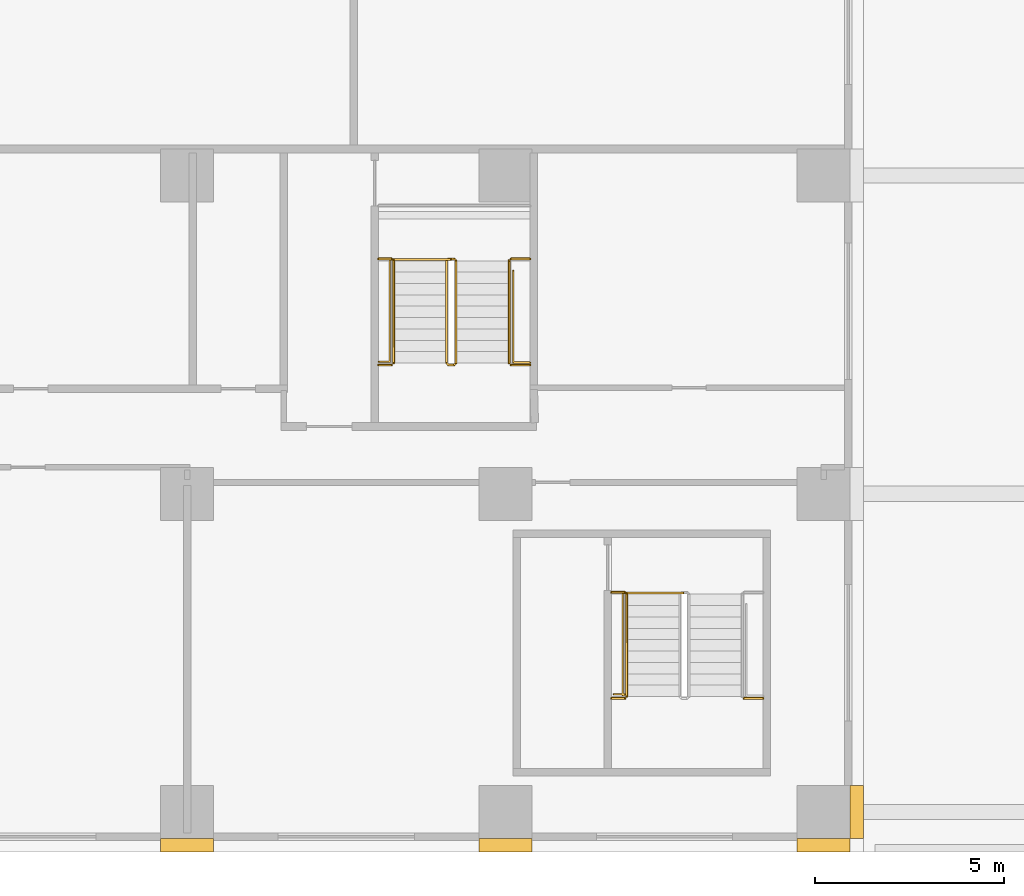
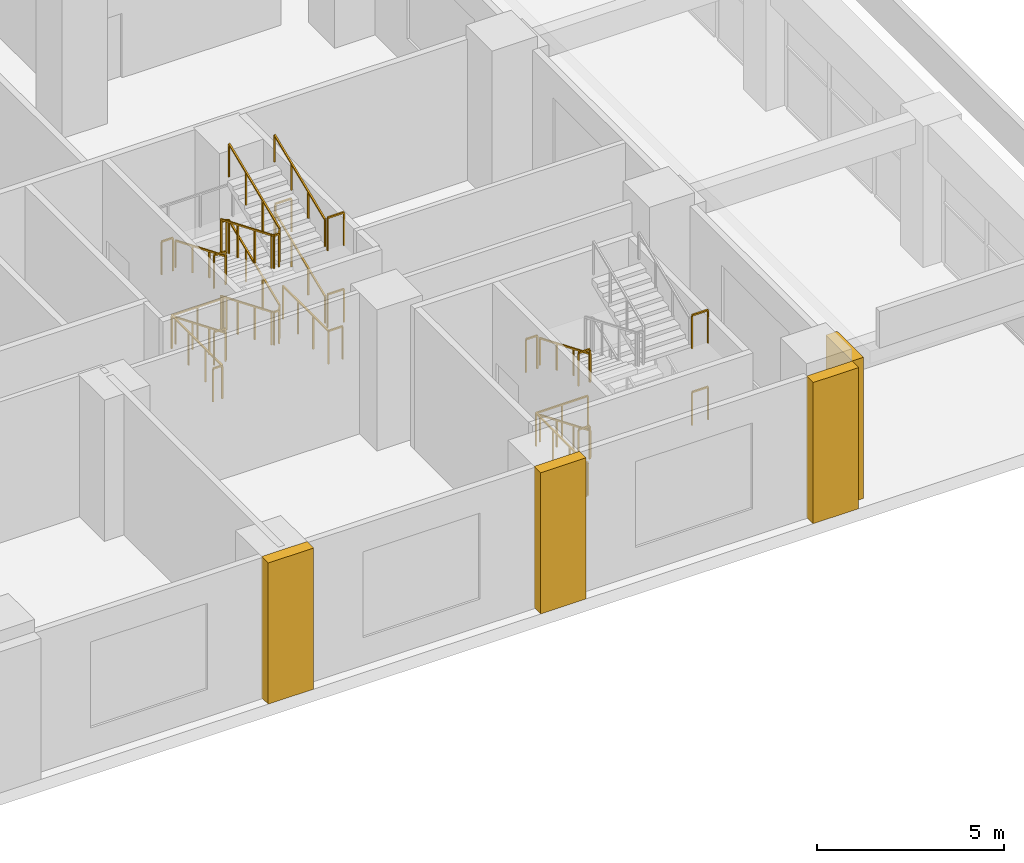
# One storey, part 26 of 29: 21 railings, 4 coverings.
"""IFC4 building model written with IfcOpenShell, lengths in metres."""

import ifcopenshell
import ifcopenshell.guid

model = None  # the IFC model being written
_history = None  # IfcOwnerHistory: only IFC2X3 demands one
_inside = {}  # id of a spatial element -> (the spatial element, [elements in it])
_under = {}  # id of a project, library or spatial element -> (it, [spatial elements below it])
_declared = {}  # id of a project -> (the project, [libraries it declares])
_typed = {}  # id of a type object -> (the type object, [elements of that type])
_made_of = {}  # id of a material, layer set ... -> (it, [elements and type objects made of it])


def new_model(schema):
    """Start an empty IFC model of exactly this schema.

    Asked for "IFC4X3", IfcOpenShell would pick the latest addendum, in which some entities
    have other attributes; the version numbers below select the first issue.
    IFC2X3 requires an IfcOwnerHistory on every rooted entity: one is made here for all.
    """
    global model, _history
    if schema == "IFC4X3":
        model = ifcopenshell.file(schema_version=(4, 3, 0, 0))
    else:
        model = ifcopenshell.file(schema=schema)
    _inside.clear()
    _under.clear()
    _declared.clear()
    _typed.clear()
    _made_of.clear()
    _history = None
    if model.schema == "IFC2X3":
        org = make("IfcOrganization", Name="unknown")
        user = make(
            "IfcPersonAndOrganization",
            ThePerson=make("IfcPerson", FamilyName="unknown"),
            TheOrganization=org,
        )
        app = make(
            "IfcApplication",
            ApplicationDeveloper=org,
            Version="unknown",
            ApplicationFullName="unknown",
            ApplicationIdentifier="unknown",
        )
        _history = make(
            "IfcOwnerHistory",
            OwningUser=user,
            OwningApplication=app,
            ChangeAction="ADDED",
            CreationDate=0,
        )
    return model


def make(cls, **values):
    """One entity of the class cls with the attributes given. An attribute that is None is left unset."""
    return model.create_entity(
        cls, **{name: value for name, value in values.items() if value is not None}
    )


def rooted(cls, **values):
    """An entity with a GlobalId (a new one), such as an element, a storey or a relation."""
    return make(cls, GlobalId=ifcopenshell.guid.new(), OwnerHistory=_history, **values)


def si_unit(unit_type, name, prefix=None):
    """IfcSIUnit, for example si_unit("LENGTHUNIT", "METRE", prefix="MILLI")."""
    return make("IfcSIUnit", UnitType=unit_type, Prefix=prefix, Name=name)


def assignment(units):
    """IfcUnitAssignment: the units of a project."""
    return None if units is None else make("IfcUnitAssignment", Units=units)


def point(xyz):
    """IfcCartesianPoint."""
    return None if xyz is None else make("IfcCartesianPoint", Coordinates=xyz)


def direction(xyz):
    """IfcDirection."""
    return None if xyz is None else make("IfcDirection", DirectionRatios=xyz)


def frame(location, z_axis=None, x_axis=None):
    """IfcAxis2Placement3D, a coordinate frame: its origin and axes. An axis left out is left unset."""
    return make(
        "IfcAxis2Placement3D",
        Location=point(location),
        Axis=direction(z_axis),
        RefDirection=direction(x_axis),
    )


def frame_2d(location, x_axis=None):
    """IfcAxis2Placement2D, a coordinate frame in the plane: its origin and x axis."""
    return make(
        "IfcAxis2Placement2D", Location=point(location), RefDirection=direction(x_axis)
    )


def origin():
    """The frame at (0, 0, 0) with its axes left unset."""
    return frame((0.0, 0.0, 0.0))


def origin_2d():
    """The frame at (0, 0) in the plane with its x axis left unset."""
    return frame_2d((0.0, 0.0))


def place(relative_to, where):
    """IfcLocalPlacement: puts the frame where relative to a parent placement (None: the world)."""
    return make(
        "IfcLocalPlacement", PlacementRelTo=relative_to, RelativePlacement=where
    )


def context(
    kind, dimensions, precision=None, world=None, true_north=None, identifier=None
):
    """IfcGeometricRepresentationContext, for example the 3D "Model" context."""
    return make(
        "IfcGeometricRepresentationContext",
        ContextIdentifier=identifier,
        ContextType=kind,
        CoordinateSpaceDimension=dimensions,
        Precision=precision,
        WorldCoordinateSystem=world,
        TrueNorth=true_north,
    )


def subcontext(parent, identifier, kind, view, scale=None):
    """IfcGeometricRepresentationSubContext, for example "Body" below "Model"."""
    return make(
        "IfcGeometricRepresentationSubContext",
        ContextIdentifier=identifier,
        ContextType=kind,
        ParentContext=parent,
        TargetScale=scale,
        TargetView=view,
    )


def project(units=None, contexts=None):
    """IfcProject with its units and contexts."""
    return rooted(
        "IfcProject",
        Name="project",
        RepresentationContexts=contexts,
        UnitsInContext=assignment(units),
    )


def spatial(cls, under=None, at=None, **own):
    """A site, building, storey or space (cls), placed at a placement, below another one or the project."""
    s = rooted(cls, ObjectPlacement=at, **own)
    if under is not None:
        _under.setdefault(under.id(), (under, []))[1].append(s)
    return s


def polyline(points):
    """IfcPolyline through the points."""
    return make("IfcPolyline", Points=[point(p) for p in points])


def profile(cls, at=None, kind="AREA", **sizes):
    """A parametric profile (cls). Its sizes go by their IFC names, for example OverallWidth=200.0."""
    return make(cls, ProfileType=kind, Position=at, **sizes)


def rectangle(**sizes):
    """IfcRectangleProfileDef."""
    return profile("IfcRectangleProfileDef", **sizes)


def outline(outer, holes=None, kind="AREA"):
    """IfcArbitraryClosedProfileDef: a profile drawn as a closed curve; with holes, ...WithVoids."""
    if holes is None:
        return make("IfcArbitraryClosedProfileDef", ProfileType=kind, OuterCurve=outer)
    return make(
        "IfcArbitraryProfileDefWithVoids",
        ProfileType=kind,
        OuterCurve=outer,
        InnerCurves=holes,
    )


def extrude(swept, where, along, depth):
    """IfcExtrudedAreaSolid: the profile swept, set in the frame where, extruded along a direction by depth."""
    return make(
        "IfcExtrudedAreaSolid",
        SweptArea=swept,
        Position=where,
        ExtrudedDirection=direction(along),
        Depth=depth,
    )


def shape(context_of_items, identifier, shape_type, items):
    """IfcShapeRepresentation: the items that make up one representation, for example the "Body"."""
    return make(
        "IfcShapeRepresentation",
        ContextOfItems=context_of_items,
        RepresentationIdentifier=identifier,
        RepresentationType=shape_type,
        Items=items,
    )


def material(Name=None, Category=None):
    """IfcMaterial."""
    return make("IfcMaterial", Name=Name, Category=Category)


def made_of(thing, what):
    """Note that an element or type object is made of a material, layer set ...; save() writes the relation."""
    if what is not None:
        _made_of.setdefault(what.id(), (what, []))[1].append(thing)
    return thing


def type_object(cls, material=None, **own):
    """A type object (cls), such as IfcWallType, which elements share."""
    return made_of(rooted(cls, **own), material)


def element(
    cls,
    number,
    at=None,
    inside=None,
    cuts=None,
    type_object=None,
    material=None,
    context=None,
    identifier="Body",
    shape_type=None,
    held_by="IfcProductDefinitionShape",
    body=None,
    shapes=None,
    **own,
):
    """One element of the class cls, such as IfcWall. Its Tag is "e" and its number.

    at: its placement. inside: the storey or other place that contains it. cuts: it is an
    opening in that element (IfcRelVoidsElement). A single representation is given by context,
    identifier, shape_type and body (its items); several are given by shapes. held_by: the class
    of the entity that holds the representations. save() writes the other relations.
    """
    e = rooted(cls, Tag="e%d" % number, ObjectPlacement=at, **own)
    if body is not None:
        shapes = [shape(context, identifier, shape_type, body)]
    if shapes is not None:
        e.Representation = make(held_by, Representations=shapes)
    if inside is not None:
        _inside.setdefault(inside.id(), (inside, []))[1].append(e)
    if cuts is not None:
        rooted(
            "IfcRelVoidsElement", RelatingBuildingElement=cuts, RelatedOpeningElement=e
        )
    if type_object is not None:
        _typed.setdefault(type_object.id(), (type_object, []))[1].append(e)
    return made_of(e, material)


def aggregate(whole, parts):
    """IfcRelAggregates: a whole, such as a stair, and the parts it consists of."""
    return rooted("IfcRelAggregates", RelatingObject=whole, RelatedObjects=parts)


def save(model, path):
    """Write the relations noted so far, then the file.

    IfcRelAggregates (storeys below a building ...), IfcRelContainedInSpatialStructure (elements
    in a storey), IfcRelDefinesByType, IfcRelAssociatesMaterial and IfcRelDeclares: one each for
    every whole, place, type object, material and project.
    """
    for whole, parts in _under.values():
        aggregate(whole, parts)
    for where, things in _inside.values():
        rooted(
            "IfcRelContainedInSpatialStructure",
            RelatedElements=things,
            RelatingStructure=where,
        )
    for kind, things in _typed.values():
        rooted("IfcRelDefinesByType", RelatedObjects=things, RelatingType=kind)
    for what, things in _made_of.values():
        rooted("IfcRelAssociatesMaterial", RelatedObjects=things, RelatingMaterial=what)
    for by, libraries in _declared.values():
        rooted("IfcRelDeclares", RelatingContext=by, RelatedDefinitions=libraries)
    model.write(path)


model = new_model("IFC4")

# Units and contexts
model_context = context("Model", 3, precision=1e-05, world=origin(), true_north=direction((0.0, 1.0)))
body_context = subcontext(model_context, "Body", "Model", "MODEL_VIEW")
ifc_project = project(units=[si_unit("LENGTHUNIT", "METRE"), si_unit("AREAUNIT", "SQUARE_METRE"), si_unit("VOLUMEUNIT", "CUBIC_METRE"), si_unit("PLANEANGLEUNIT", "RADIAN"), si_unit("MASSUNIT", "GRAM", prefix="KILO")], contexts=[model_context])

# Site, building, storey
site_placement = place(None, origin())
site = spatial("IfcSite", under=ifc_project, at=site_placement, CompositionType="ELEMENT")
building_placement = place(site_placement, origin())
building = spatial("IfcBuilding", under=site, at=building_placement, Name="Vermilion Ogive Tower", CompositionType="ELEMENT")
storey_placement = place(building_placement, frame((0.0, 0.0, 7.5)))
storey = spatial("IfcBuildingStorey", under=building, at=storey_placement, Name="L01", CompositionType="ELEMENT", Elevation=7.5)

# Railings
ifc_material_1 = material(Name="Steel S355 painted", Category="steel")
railing_type_1 = type_object("IfcRailingType", Name="Stair guard 1100", PredefinedType="GUARDRAIL", material=ifc_material_1)
railing_1_placement = place(storey_placement, frame((40.64990234375, -14.800048828125, 0.0)))
element("IfcRailing", 1, at=railing_1_placement, inside=storey, type_object=railing_type_1, Name="L01 PS6 stair guard 8", PredefinedType="GUARDRAIL", context=body_context, shape_type="SweptSolid", body=[
    extrude(rectangle(XDim=0.048095703125, YDim=0.048095703125, at=origin_2d()), frame((0.0, 0.0, 1.076171875), z_axis=(-1.0, 0.0, 0.0), x_axis=(0.0, -1.0, 0.0)), (0.0, 0.0, 1.0), 0.14990234375),
    extrude(rectangle(XDim=0.048095703125, YDim=0.048095703125, at=origin_2d()), frame((-0.14990234375, 0.0, 1.076171875), z_axis=(-0.34841279274, -0.34841279274, 0.870182194549), x_axis=(0.707106781187, -0.707106781187, 0.0)), (0.0, 0.0, 1.0), 0.1435546875),
    extrude(rectangle(XDim=0.048095703125, YDim=0.048095703125, at=origin_2d()), frame((-0.199951171875, -0.050048828125, 1.201171875), z_axis=(0.0, -0.923074453586, 0.384621311341), x_axis=(1.0, 0.0, 0.0)), (0.0, 0.0, 1.0), 2.925048828125),
    extrude(rectangle(XDim=0.048095703125, YDim=0.048095703125, at=origin_2d()), frame((-0.199951171875, -2.75, 2.326171875), z_axis=(0.707106781187, -0.707106781187, 0.0), x_axis=(0.707106781187, 0.707106781187, 0.0)), (0.0, 0.0, 1.0), 0.07080078125),
    extrude(rectangle(XDim=0.048095703125, YDim=0.048095703125, at=origin_2d()), frame((-0.14990234375, -2.800048828125, 2.326171875), z_axis=(1.0, 0.0, 0.0), x_axis=(0.0, 1.0, 0.0)), (0.0, 0.0, 1.0), 0.14990234375),
    extrude(rectangle(XDim=0.048095703125, YDim=0.048095703125, at=origin_2d()), frame((0.0, -2.800048828125, 2.326171875), z_axis=(0.34841279274, 0.34841279274, 0.870182194549), x_axis=(-0.707106781187, 0.707106781187, 0.0)), (0.0, 0.0, 1.0), 0.1435546875),
    extrude(rectangle(XDim=0.048095703125, YDim=0.048095703125, at=origin_2d()), frame((0.050048828125, -2.75, 2.451171875), z_axis=(0.0, 0.923074453586, 0.384621311341), x_axis=(-1.0, 0.0, 0.0)), (0.0, 0.0, 1.0), 2.925048828125),
    extrude(rectangle(XDim=0.048095703125, YDim=0.048095703125, at=origin_2d()), frame((0.050048828125, -0.050048828125, 3.576171875), z_axis=(-0.707106781187, 0.707106781187, 0.0), x_axis=(-0.707106781187, -0.707106781187, 0.0)), (0.0, 0.0, 1.0), 0.07080078125),
    extrude(rectangle(XDim=0.048095703125, YDim=0.048095703125, at=origin_2d()), frame((0.0, 0.0, 3.576171875), z_axis=(-1.0, 0.0, 0.0), x_axis=(0.0, -1.0, 0.0)), (0.0, 0.0, 1.0), 0.14990234375),
    extrude(rectangle(XDim=0.048095703125, YDim=0.048095703125, at=origin_2d()), frame((-0.14990234375, 0.0, 3.576171875), z_axis=(-0.34841279274, -0.34841279274, 0.870182194549), x_axis=(0.707106781187, -0.707106781187, 0.0)), (0.0, 0.0, 1.0), 0.1435546875),
    extrude(rectangle(XDim=0.048095703125, YDim=0.048095703125, at=origin_2d()), frame((-0.199951171875, -0.050048828125, 3.701171875), z_axis=(0.0, -0.923074453586, 0.384621311341), x_axis=(1.0, 0.0, 0.0)), (0.0, 0.0, 1.0), 2.925048828125),
    extrude(rectangle(XDim=0.048095703125, YDim=0.048095703125, at=origin_2d()), frame((-0.199951171875, -2.75, 4.826171875), z_axis=(0.707106781187, -0.707106781187, 0.0), x_axis=(0.707106781187, 0.707106781187, 0.0)), (0.0, 0.0, 1.0), 0.07080078125),
    extrude(rectangle(XDim=0.048095703125, YDim=0.048095703125, at=origin_2d()), frame((-0.14990234375, -2.800048828125, 4.826171875), z_axis=(1.0, 0.0, 0.0), x_axis=(0.0, 1.0, 0.0)), (0.0, 0.0, 1.0), 0.14990234375),
    extrude(rectangle(XDim=0.048095703125, YDim=0.048095703125, at=origin_2d()), frame((0.0, -2.800048828125, 4.826171875), z_axis=(0.34841279274, 0.34841279274, 0.870182194549), x_axis=(-0.707106781187, 0.707106781187, 0.0)), (0.0, 0.0, 1.0), 0.1435546875),
    extrude(rectangle(XDim=0.048095703125, YDim=0.048095703125, at=origin_2d()), frame((0.050048828125, -2.75, 4.951171875), z_axis=(0.0, 0.923074453586, 0.384621311341), x_axis=(-1.0, 0.0, 0.0)), (0.0, 0.0, 1.0), 2.925048828125),
    extrude(rectangle(XDim=0.0419921875, YDim=0.0419921875, at=origin_2d()), origin(), (0.0, 0.0, 1.0), 1.052001953125),
    extrude(rectangle(XDim=0.0419921875, YDim=0.0419921875, at=origin_2d()), frame((-0.14990234375, 0.0, 0.0)), (0.0, 0.0, 1.0), 1.052001953125),
    extrude(rectangle(XDim=0.0419921875, YDim=0.0419921875, at=origin_2d()), frame((-0.199951171875, -0.050048828125, 0.125)), (0.0, 0.0, 1.0), 1.052001953125),
    extrude(rectangle(XDim=0.0419921875, YDim=0.0419921875, at=origin_2d()), frame((-0.199951171875, -0.949951171875, 0.5)), (0.0, 0.0, 1.0), 1.052001953125),
    extrude(rectangle(XDim=0.0419921875, YDim=0.0419921875, at=origin_2d()), frame((-0.199951171875, -1.85009765625, 0.875)), (0.0, 0.0, 1.0), 1.052001953125),
    extrude(rectangle(XDim=0.0419921875, YDim=0.0419921875, at=origin_2d()), frame((-0.199951171875, -2.75, 1.25)), (0.0, 0.0, 1.0), 1.052001953125),
    extrude(rectangle(XDim=0.0419921875, YDim=0.0419921875, at=origin_2d()), frame((-0.14990234375, -2.800048828125, 1.25)), (0.0, 0.0, 1.0), 1.052001953125),
    extrude(rectangle(XDim=0.0419921875, YDim=0.0419921875, at=origin_2d()), frame((0.0, -2.800048828125, 1.25)), (0.0, 0.0, 1.0), 1.052001953125),
    extrude(rectangle(XDim=0.0419921875, YDim=0.0419921875, at=origin_2d()), frame((0.050048828125, -2.75, 1.375)), (0.0, 0.0, 1.0), 1.052001953125),
    extrude(rectangle(XDim=0.0419921875, YDim=0.0419921875, at=origin_2d()), frame((0.050048828125, -1.85009765625, 1.75)), (0.0, 0.0, 1.0), 1.052001953125),
    extrude(rectangle(XDim=0.0419921875, YDim=0.0419921875, at=origin_2d()), frame((0.050048828125, -0.949951171875, 2.125)), (0.0, 0.0, 1.0), 1.052001953125),
    extrude(rectangle(XDim=0.0419921875, YDim=0.0419921875, at=origin_2d()), frame((0.050048828125, -0.050048828125, 2.5)), (0.0, 0.0, 1.0), 1.052001953125),
    extrude(rectangle(XDim=0.0419921875, YDim=0.0419921875, at=origin_2d()), frame((0.0, 0.0, 2.5)), (0.0, 0.0, 1.0), 1.052001953125),
    extrude(rectangle(XDim=0.0419921875, YDim=0.0419921875, at=origin_2d()), frame((-0.14990234375, 0.0, 2.5)), (0.0, 0.0, 1.0), 1.052001953125),
    extrude(rectangle(XDim=0.0419921875, YDim=0.0419921875, at=origin_2d()), frame((-0.199951171875, -0.050048828125, 2.625)), (0.0, 0.0, 1.0), 1.052001953125),
    extrude(rectangle(XDim=0.0419921875, YDim=0.0419921875, at=origin_2d()), frame((-0.199951171875, -0.949951171875, 3.0)), (0.0, 0.0, 1.0), 1.052001953125),
    extrude(rectangle(XDim=0.0419921875, YDim=0.0419921875, at=origin_2d()), frame((-0.199951171875, -1.85009765625, 3.375)), (0.0, 0.0, 1.0), 1.052001953125),
    extrude(rectangle(XDim=0.0419921875, YDim=0.0419921875, at=origin_2d()), frame((-0.199951171875, -2.75, 3.75)), (0.0, 0.0, 1.0), 1.052001953125),
    extrude(rectangle(XDim=0.0419921875, YDim=0.0419921875, at=origin_2d()), frame((-0.14990234375, -2.800048828125, 3.75)), (0.0, 0.0, 1.0), 1.052001953125),
    extrude(rectangle(XDim=0.0419921875, YDim=0.0419921875, at=origin_2d()), frame((0.0, -2.800048828125, 3.75)), (0.0, 0.0, 1.0), 1.052001953125),
    extrude(rectangle(XDim=0.0419921875, YDim=0.0419921875, at=origin_2d()), frame((0.050048828125, -2.75, 3.875)), (0.0, 0.0, 1.0), 1.052001953125),
    extrude(rectangle(XDim=0.0419921875, YDim=0.0419921875, at=origin_2d()), frame((0.050048828125, -1.85009765625, 4.25)), (0.0, 0.0, 1.0), 1.052001953125),
    extrude(rectangle(XDim=0.0419921875, YDim=0.0419921875, at=origin_2d()), frame((0.050048828125, -0.949951171875, 4.625)), (0.0, 0.0, 1.0), 1.052001953125),
    extrude(rectangle(XDim=0.0419921875, YDim=0.0419921875, at=origin_2d()), frame((0.050048828125, -0.050048828125, 5.0)), (0.0, 0.0, 1.0), 1.052001953125),
])
railing_2_placement = place(storey_placement, frame((38.650146484375, -17.60009765625, 1.25)))
element("IfcRailing", 2, at=railing_2_placement, inside=storey, type_object=railing_type_1, Name="L01 landing guard", PredefinedType="GUARDRAIL", context=body_context, shape_type="SweptSolid", body=[
    extrude(rectangle(XDim=0.048095703125, YDim=0.048095703125, at=origin_2d()), frame((0.0, 0.0, 1.076171875), z_axis=(1.0, 0.0, 0.0), x_axis=(0.0, 1.0, 0.0)), (0.0, 0.0, 1.0), 0.349853515625),
    extrude(rectangle(XDim=0.0419921875, YDim=0.0419921875, at=origin_2d()), origin(), (0.0, 0.0, 1.0), 1.052001953125),
    extrude(rectangle(XDim=0.0419921875, YDim=0.0419921875, at=origin_2d()), frame((0.349853515625, 0.0, 0.0)), (0.0, 0.0, 1.0), 1.052001953125),
])
railing_3_placement = place(storey_placement, frame((42.14990234375, -17.60009765625, 1.25)))
element("IfcRailing", 3, at=railing_3_placement, inside=storey, type_object=railing_type_1, Name="L01 landing guard", PredefinedType="GUARDRAIL", context=body_context, shape_type="SweptSolid", body=[
    extrude(rectangle(XDim=0.048095703125, YDim=0.048095703125, at=origin_2d()), frame((0.0, 0.0, 1.076171875), z_axis=(1.0, 0.0, 0.0), x_axis=(0.0, 1.0, 0.0)), (0.0, 0.0, 1.0), 0.5),
    extrude(rectangle(XDim=0.0419921875, YDim=0.0419921875, at=origin_2d()), origin(), (0.0, 0.0, 1.0), 1.052001953125),
    extrude(rectangle(XDim=0.0419921875, YDim=0.0419921875, at=origin_2d()), frame((0.5, 0.0, 0.0)), (0.0, 0.0, 1.0), 1.052001953125),
])
railing_4_placement = place(storey_placement, frame((38.650146484375, -14.800048828125, 2.5)))
element("IfcRailing", 4, at=railing_4_placement, inside=storey, type_object=railing_type_1, Name="L01 landing guard", PredefinedType="GUARDRAIL", context=body_context, shape_type="SweptSolid", body=[
    extrude(rectangle(XDim=0.048095703125, YDim=0.048095703125, at=origin_2d()), frame((0.0, 0.0, 1.076171875), z_axis=(1.0, 0.0, 0.0), x_axis=(0.0, 1.0, 0.0)), (0.0, 0.0, 1.0), 0.349853515625),
    extrude(rectangle(XDim=0.0419921875, YDim=0.0419921875, at=origin_2d()), origin(), (0.0, 0.0, 1.0), 1.052001953125),
    extrude(rectangle(XDim=0.0419921875, YDim=0.0419921875, at=origin_2d()), frame((0.349853515625, 0.0, 0.0)), (0.0, 0.0, 1.0), 1.052001953125),
])
railing_5_placement = place(storey_placement, frame((42.14990234375, -14.800048828125, 2.5)))
element("IfcRailing", 5, at=railing_5_placement, inside=storey, type_object=railing_type_1, Name="L01 landing guard", PredefinedType="GUARDRAIL", context=body_context, shape_type="SweptSolid", body=[
    extrude(rectangle(XDim=0.048095703125, YDim=0.048095703125, at=origin_2d()), frame((0.0, 0.0, 1.076171875), z_axis=(1.0, 0.0, 0.0), x_axis=(0.0, 1.0, 0.0)), (0.0, 0.0, 1.0), 0.5),
    extrude(rectangle(XDim=0.0419921875, YDim=0.0419921875, at=origin_2d()), origin(), (0.0, 0.0, 1.0), 1.052001953125),
    extrude(rectangle(XDim=0.0419921875, YDim=0.0419921875, at=origin_2d()), frame((0.5, 0.0, 0.0)), (0.0, 0.0, 1.0), 1.052001953125),
])
railing_6_placement = place(storey_placement, frame((38.650146484375, -17.60009765625, 3.75)))
element("IfcRailing", 6, at=railing_6_placement, inside=storey, type_object=railing_type_1, Name="L01 landing guard", PredefinedType="GUARDRAIL", context=body_context, shape_type="SweptSolid", body=[
    extrude(rectangle(XDim=0.048095703125, YDim=0.048095703125, at=origin_2d()), frame((0.0, 0.0, 1.076171875), z_axis=(1.0, 0.0, 0.0), x_axis=(0.0, 1.0, 0.0)), (0.0, 0.0, 1.0), 0.349853515625),
    extrude(rectangle(XDim=0.0419921875, YDim=0.0419921875, at=origin_2d()), origin(), (0.0, 0.0, 1.0), 1.052001953125),
    extrude(rectangle(XDim=0.0419921875, YDim=0.0419921875, at=origin_2d()), frame((0.349853515625, 0.0, 0.0)), (0.0, 0.0, 1.0), 1.052001953125),
])
railing_7_placement = place(storey_placement, frame((42.14990234375, -17.60009765625, 3.75)))
element("IfcRailing", 7, at=railing_7_placement, inside=storey, type_object=railing_type_1, Name="L01 landing guard", PredefinedType="GUARDRAIL", context=body_context, shape_type="SweptSolid", body=[
    extrude(rectangle(XDim=0.048095703125, YDim=0.048095703125, at=origin_2d()), frame((0.0, 0.0, 1.076171875), z_axis=(1.0, 0.0, 0.0), x_axis=(0.0, 1.0, 0.0)), (0.0, 0.0, 1.0), 0.5),
    extrude(rectangle(XDim=0.0419921875, YDim=0.0419921875, at=origin_2d()), origin(), (0.0, 0.0, 1.0), 1.052001953125),
    extrude(rectangle(XDim=0.0419921875, YDim=0.0419921875, at=origin_2d()), frame((0.5, 0.0, 0.0)), (0.0, 0.0, 1.0), 1.052001953125),
])
railing_8_placement = place(storey_placement, frame((44.800048828125, -26.39990234375, 1.25)))
element("IfcRailing", 8, at=railing_8_placement, inside=storey, type_object=railing_type_1, Name="L01 landing guard", PredefinedType="GUARDRAIL", context=body_context, shape_type="SweptSolid", body=[
    extrude(rectangle(XDim=0.048095703125, YDim=0.048095703125, at=origin_2d()), frame((0.0, 0.0, 1.076171875), z_axis=(1.0, 0.0, 0.0), x_axis=(0.0, 1.0, 0.0)), (0.0, 0.0, 1.0), 0.349853515625),
    extrude(rectangle(XDim=0.0419921875, YDim=0.0419921875, at=origin_2d()), origin(), (0.0, 0.0, 1.0), 1.052001953125),
    extrude(rectangle(XDim=0.0419921875, YDim=0.0419921875, at=origin_2d()), frame((0.349853515625, 0.0, 0.0)), (0.0, 0.0, 1.0), 1.052001953125),
])
railing_9_placement = place(storey_placement, frame((48.300048828125, -26.39990234375, 1.25)))
element("IfcRailing", 9, at=railing_9_placement, inside=storey, type_object=railing_type_1, Name="L01 landing guard", PredefinedType="GUARDRAIL", context=body_context, shape_type="SweptSolid", body=[
    extrude(rectangle(XDim=0.048095703125, YDim=0.048095703125, at=origin_2d()), frame((0.0, 0.0, 1.076171875), z_axis=(1.0, 0.0, 0.0), x_axis=(0.0, 1.0, 0.0)), (0.0, 0.0, 1.0), 0.499755859375),
    extrude(rectangle(XDim=0.0419921875, YDim=0.0419921875, at=origin_2d()), origin(), (0.0, 0.0, 1.0), 1.052001953125),
    extrude(rectangle(XDim=0.0419921875, YDim=0.0419921875, at=origin_2d()), frame((0.499755859375, 0.0, 0.0)), (0.0, 0.0, 1.0), 1.052001953125),
])
for number, where, name in (
    (10, (44.800048828125, -23.60009765625, 2.5), "L01 landing guard"),
    (11, (44.800048828125, -26.39990234375, 3.75), "L01 landing guard"),
):
    element("IfcRailing", number, at=place(storey_placement, frame(where)), inside=storey, type_object=railing_type_1, Name=name, PredefinedType="GUARDRAIL", context=body_context, shape_type="SweptSolid", body=[
        extrude(rectangle(XDim=0.048095703125, YDim=0.048095703125, at=origin_2d()), frame((0.0, 0.0, 1.076171875), z_axis=(1.0, 0.0, 0.0), x_axis=(0.0, 1.0, 0.0)), (0.0, 0.0, 1.0), 0.349853515625),
        extrude(rectangle(XDim=0.0419921875, YDim=0.0419921875, at=origin_2d()), origin(), (0.0, 0.0, 1.0), 1.052001953125),
        extrude(rectangle(XDim=0.0419921875, YDim=0.0419921875, at=origin_2d()), frame((0.349853515625, 0.0, 0.0)), (0.0, 0.0, 1.0), 1.052001953125),
    ])
railing_10_placement = place(storey_placement, frame((48.300048828125, -26.39990234375, 3.75)))
element("IfcRailing", 12, at=railing_10_placement, inside=storey, type_object=railing_type_1, Name="L01 landing guard", PredefinedType="GUARDRAIL", context=body_context, shape_type="SweptSolid", body=[
    extrude(rectangle(XDim=0.048095703125, YDim=0.048095703125, at=origin_2d()), frame((0.0, 0.0, 1.076171875), z_axis=(1.0, 0.0, 0.0), x_axis=(0.0, 1.0, 0.0)), (0.0, 0.0, 1.0), 0.499755859375),
    extrude(rectangle(XDim=0.0419921875, YDim=0.0419921875, at=origin_2d()), origin(), (0.0, 0.0, 1.0), 1.052001953125),
    extrude(rectangle(XDim=0.0419921875, YDim=0.0419921875, at=origin_2d()), frame((0.499755859375, 0.0, 0.0)), (0.0, 0.0, 1.0), 1.052001953125),
])
railing_11_placement = place(storey_placement, frame((38.660888671875, -17.515625, 0.0)))
element("IfcRailing", 13, at=railing_11_placement, inside=storey, type_object=railing_type_1, Name="L01 stair opening guard", PredefinedType="GUARDRAIL", context=body_context, shape_type="SweptSolid", body=[
    extrude(rectangle(XDim=0.048095703125, YDim=0.048095703125, at=origin_2d()), frame((0.0, 0.0, 1.076171875), z_axis=(1.0, 0.0, 0.0), x_axis=(0.0, 1.0, 0.0)), (0.0, 0.0, 1.0), 0.289794921875),
    extrude(rectangle(XDim=0.048095703125, YDim=0.048095703125, at=origin_2d()), frame((0.289794921875, 0.0, 1.076171875), z_axis=(0.0, 1.0, 0.0), x_axis=(-1.0, 0.0, 0.0)), (0.0, 0.0, 1.0), 2.699951171875),
    extrude(rectangle(XDim=0.048095703125, YDim=0.048095703125, at=origin_2d()), frame((0.289794921875, 2.699951171875, 1.076171875), z_axis=(1.0, 0.0, 0.0), x_axis=(0.0, 1.0, 0.0)), (0.0, 0.0, 1.0), 1.60009765625),
    extrude(rectangle(XDim=0.0419921875, YDim=0.0419921875, at=origin_2d()), origin(), (0.0, 0.0, 1.0), 1.052001953125),
    extrude(rectangle(XDim=0.0419921875, YDim=0.0419921875, at=origin_2d()), frame((0.289794921875, 0.0, 0.0)), (0.0, 0.0, 1.0), 1.052001953125),
    extrude(rectangle(XDim=0.0419921875, YDim=0.0419921875, at=origin_2d()), frame((0.289794921875, 0.89990234375, 0.0)), (0.0, 0.0, 1.0), 1.052001953125),
    extrude(rectangle(XDim=0.0419921875, YDim=0.0419921875, at=origin_2d()), frame((0.289794921875, 1.800048828125, 0.0)), (0.0, 0.0, 1.0), 1.052001953125),
    extrude(rectangle(XDim=0.0419921875, YDim=0.0419921875, at=origin_2d()), frame((0.289794921875, 2.699951171875, 0.0)), (0.0, 0.0, 1.0), 1.052001953125),
    extrude(rectangle(XDim=0.0419921875, YDim=0.0419921875, at=origin_2d()), frame((1.08984375, 2.699951171875, 0.0)), (0.0, 0.0, 1.0), 1.052001953125),
    extrude(rectangle(XDim=0.0419921875, YDim=0.0419921875, at=origin_2d()), frame((1.889892578125, 2.699951171875, 0.0)), (0.0, 0.0, 1.0), 1.052001953125),
])
railing_12_placement = place(storey_placement, frame((42.208984375, -15.115234375, 0.0)))
element("IfcRailing", 14, at=railing_12_placement, inside=storey, type_object=railing_type_1, Name="L01 stair opening guard", PredefinedType="GUARDRAIL", context=body_context, shape_type="SweptSolid", body=[
    extrude(rectangle(XDim=0.048095703125, YDim=0.048095703125, at=origin_2d()), frame((0.0, 0.0, 1.076171875), z_axis=(0.0, -1.0, 0.0), x_axis=(1.0, 0.0, 0.0)), (0.0, 0.0, 1.0), 2.424072265625),
    extrude(rectangle(XDim=0.048095703125, YDim=0.048095703125, at=origin_2d()), frame((0.0, -2.424072265625, 1.076171875), z_axis=(1.0, 0.0, 0.0), x_axis=(0.0, 1.0, 0.0)), (0.0, 0.0, 1.0), 0.43994140625),
    extrude(rectangle(XDim=0.0419921875, YDim=0.0419921875, at=origin_2d()), origin(), (0.0, 0.0, 1.0), 1.052001953125),
    extrude(rectangle(XDim=0.0419921875, YDim=0.0419921875, at=origin_2d()), frame((0.0, -0.80810546875, 0.0)), (0.0, 0.0, 1.0), 1.052001953125),
    extrude(rectangle(XDim=0.0419921875, YDim=0.0419921875, at=origin_2d()), frame((0.0, -1.615966796875, 0.0)), (0.0, 0.0, 1.0), 1.052001953125),
    extrude(rectangle(XDim=0.0419921875, YDim=0.0419921875, at=origin_2d()), frame((0.0, -2.424072265625, 0.0)), (0.0, 0.0, 1.0), 1.052001953125),
    extrude(rectangle(XDim=0.0419921875, YDim=0.0419921875, at=origin_2d()), frame((0.43994140625, -2.424072265625, 0.0)), (0.0, 0.0, 1.0), 1.052001953125),
])
railing_13_placement = place(storey_placement, frame((44.860107421875, -26.2900390625, 0.0)))
element("IfcRailing", 15, at=railing_13_placement, inside=storey, type_object=railing_type_1, Name="L01 stair opening guard", PredefinedType="GUARDRAIL", context=body_context, shape_type="SweptSolid", body=[
    extrude(rectangle(XDim=0.048095703125, YDim=0.048095703125, at=origin_2d()), frame((0.0, 0.0, 1.076171875), z_axis=(1.0, 0.0, 0.0), x_axis=(0.0, 1.0, 0.0)), (0.0, 0.0, 1.0), 0.289794921875),
    extrude(rectangle(XDim=0.048095703125, YDim=0.048095703125, at=origin_2d()), frame((0.289794921875, 0.0, 1.076171875), z_axis=(-0.869255406988, -0.494363264637, 0.0), x_axis=(0.494363264637, -0.869255406988, 0.0)), (0.0, 0.0, 1.0), 0.059326171875),
    extrude(rectangle(XDim=0.048095703125, YDim=0.048095703125, at=origin_2d()), frame((0.23828125, -0.029296875, 1.076171875), z_axis=(0.0, 1.0, 0.0), x_axis=(-1.0, 0.0, 0.0)), (0.0, 0.0, 1.0), 2.699951171875),
    extrude(rectangle(XDim=0.048095703125, YDim=0.048095703125, at=origin_2d()), frame((0.23828125, 2.670654296875, 1.076171875), z_axis=(1.0, 0.0, 0.0), x_axis=(0.0, 1.0, 0.0)), (0.0, 0.0, 1.0), 1.60009765625),
    extrude(rectangle(XDim=0.0419921875, YDim=0.0419921875, at=origin_2d()), origin(), (0.0, 0.0, 1.0), 1.052001953125),
    extrude(rectangle(XDim=0.0419921875, YDim=0.0419921875, at=origin_2d()), frame((0.289794921875, 0.0, 0.0)), (0.0, 0.0, 1.0), 1.052001953125),
    extrude(rectangle(XDim=0.0419921875, YDim=0.0419921875, at=origin_2d()), frame((0.23828125, -0.029296875, 0.0)), (0.0, 0.0, 1.0), 1.052001953125),
    extrude(rectangle(XDim=0.0419921875, YDim=0.0419921875, at=origin_2d()), frame((0.23828125, 0.87060546875, 0.0)), (0.0, 0.0, 1.0), 1.052001953125),
    extrude(rectangle(XDim=0.0419921875, YDim=0.0419921875, at=origin_2d()), frame((0.23828125, 1.770751953125, 0.0)), (0.0, 0.0, 1.0), 1.052001953125),
    extrude(rectangle(XDim=0.0419921875, YDim=0.0419921875, at=origin_2d()), frame((0.23828125, 2.670654296875, 0.0)), (0.0, 0.0, 1.0), 1.052001953125),
    extrude(rectangle(XDim=0.0419921875, YDim=0.0419921875, at=origin_2d()), frame((1.038330078125, 2.670654296875, 0.0)), (0.0, 0.0, 1.0), 1.052001953125),
    extrude(rectangle(XDim=0.0419921875, YDim=0.0419921875, at=origin_2d()), frame((1.83837890625, 2.670654296875, 0.0)), (0.0, 0.0, 1.0), 1.052001953125),
])
ifc_material_2 = material(Name="Stainless steel", Category="steel")
railing_type_2 = type_object("IfcRailingType", Name="Stair handrail 900", PredefinedType="HANDRAIL", material=ifc_material_2)
railing_14_placement = place(storey_placement, frame((39.050048828125, -14.85009765625, 0.125)))
element("IfcRailing", 16, at=railing_14_placement, inside=storey, type_object=railing_type_2, Name="L01 PS6 stair handrail 1", PredefinedType="HANDRAIL", context=body_context, shape_type="SweptSolid", body=[
    extrude(rectangle(XDim=0.048095703125, YDim=0.048095703125, at=origin_2d()), frame((0.0, 0.0, 0.8759765625), z_axis=(0.0, -0.923074453586, 0.384621311341), x_axis=(1.0, 0.0, 0.0)), (0.0, 0.0, 1.0), 2.925048828125),
    extrude(rectangle(XDim=0.0419921875, YDim=0.0419921875, at=origin_2d()), origin(), (0.0, 0.0, 1.0), 0.851806640625),
    extrude(rectangle(XDim=0.0419921875, YDim=0.0419921875, at=origin_2d()), frame((0.0, -0.89990234375, 0.375)), (0.0, 0.0, 1.0), 0.851806640625),
    extrude(rectangle(XDim=0.0419921875, YDim=0.0419921875, at=origin_2d()), frame((0.0, -1.800048828125, 0.75)), (0.0, 0.0, 1.0), 0.851806640625),
    extrude(rectangle(XDim=0.0419921875, YDim=0.0419921875, at=origin_2d()), frame((0.0, -2.699951171875, 1.125)), (0.0, 0.0, 1.0), 0.851806640625),
])
railing_15_placement = place(storey_placement, frame((42.10009765625, -17.550048828125, 1.375)))
element("IfcRailing", 17, at=railing_15_placement, inside=storey, type_object=railing_type_2, Name="L01 PS6 stair handrail 2", PredefinedType="HANDRAIL", context=body_context, shape_type="SweptSolid", body=[
    extrude(rectangle(XDim=0.048095703125, YDim=0.048095703125, at=origin_2d()), frame((0.0, 0.0, 0.8759765625), z_axis=(0.0, 0.923074453586, 0.384621311341), x_axis=(-1.0, 0.0, 0.0)), (0.0, 0.0, 1.0), 2.925048828125),
    extrude(rectangle(XDim=0.0419921875, YDim=0.0419921875, at=origin_2d()), origin(), (0.0, 0.0, 1.0), 0.851806640625),
    extrude(rectangle(XDim=0.0419921875, YDim=0.0419921875, at=origin_2d()), frame((0.0, 0.89990234375, 0.375)), (0.0, 0.0, 1.0), 0.851806640625),
    extrude(rectangle(XDim=0.0419921875, YDim=0.0419921875, at=origin_2d()), frame((0.0, 1.800048828125, 0.75)), (0.0, 0.0, 1.0), 0.851806640625),
    extrude(rectangle(XDim=0.0419921875, YDim=0.0419921875, at=origin_2d()), frame((0.0, 2.699951171875, 1.125)), (0.0, 0.0, 1.0), 0.851806640625),
])
railing_16_placement = place(storey_placement, frame((39.050048828125, -14.85009765625, 2.625)))
element("IfcRailing", 18, at=railing_16_placement, inside=storey, type_object=railing_type_2, Name="L01 PS6 stair handrail 3", PredefinedType="HANDRAIL", context=body_context, shape_type="SweptSolid", body=[
    extrude(rectangle(XDim=0.048095703125, YDim=0.048095703125, at=origin_2d()), frame((0.0, 0.0, 0.8759765625), z_axis=(0.0, -0.923074453586, 0.384621311341), x_axis=(1.0, 0.0, 0.0)), (0.0, 0.0, 1.0), 2.925048828125),
    extrude(rectangle(XDim=0.0419921875, YDim=0.0419921875, at=origin_2d()), origin(), (0.0, 0.0, 1.0), 0.851806640625),
    extrude(rectangle(XDim=0.0419921875, YDim=0.0419921875, at=origin_2d()), frame((0.0, -0.89990234375, 0.375)), (0.0, 0.0, 1.0), 0.851806640625),
    extrude(rectangle(XDim=0.0419921875, YDim=0.0419921875, at=origin_2d()), frame((0.0, -1.800048828125, 0.75)), (0.0, 0.0, 1.0), 0.851806640625),
    extrude(rectangle(XDim=0.0419921875, YDim=0.0419921875, at=origin_2d()), frame((0.0, -2.699951171875, 1.125)), (0.0, 0.0, 1.0), 0.851806640625),
])
railing_17_placement = place(storey_placement, frame((42.10009765625, -17.550048828125, 3.875)))
element("IfcRailing", 19, at=railing_17_placement, inside=storey, type_object=railing_type_2, Name="L01 PS6 stair handrail 4", PredefinedType="HANDRAIL", context=body_context, shape_type="SweptSolid", body=[
    extrude(rectangle(XDim=0.048095703125, YDim=0.048095703125, at=origin_2d()), frame((0.0, 0.0, 0.8759765625), z_axis=(0.0, 0.923074453586, 0.384621311341), x_axis=(-1.0, 0.0, 0.0)), (0.0, 0.0, 1.0), 2.925048828125),
    extrude(rectangle(XDim=0.0419921875, YDim=0.0419921875, at=origin_2d()), origin(), (0.0, 0.0, 1.0), 0.851806640625),
    extrude(rectangle(XDim=0.0419921875, YDim=0.0419921875, at=origin_2d()), frame((0.0, 0.89990234375, 0.375)), (0.0, 0.0, 1.0), 0.851806640625),
    extrude(rectangle(XDim=0.0419921875, YDim=0.0419921875, at=origin_2d()), frame((0.0, 1.800048828125, 0.75)), (0.0, 0.0, 1.0), 0.851806640625),
    extrude(rectangle(XDim=0.0419921875, YDim=0.0419921875, at=origin_2d()), frame((0.0, 2.699951171875, 1.125)), (0.0, 0.0, 1.0), 0.851806640625),
])
for number, where, name in (
    (20, (45.199951171875, -23.64990234375, 0.125), "L01 PES stair handrail 1"),
    (21, (45.199951171875, -23.64990234375, 2.625), "L01 PES stair handrail 3"),
):
    element("IfcRailing", number, at=place(storey_placement, frame(where)), inside=storey, type_object=railing_type_2, Name=name, PredefinedType="HANDRAIL", context=body_context, shape_type="SweptSolid", body=[
        extrude(rectangle(XDim=0.048095703125, YDim=0.048095703125, at=origin_2d()), frame((0.0, 0.0, 0.8759765625), z_axis=(0.0, -0.923086799901, 0.38459167938), x_axis=(1.0, 0.0, 0.0)), (0.0, 0.0, 1.0), 2.92529296875),
        extrude(rectangle(XDim=0.0419921875, YDim=0.0419921875, at=origin_2d()), origin(), (0.0, 0.0, 1.0), 0.851806640625),
        extrude(rectangle(XDim=0.0419921875, YDim=0.0419921875, at=origin_2d()), frame((0.0, -0.900146484375, 0.375)), (0.0, 0.0, 1.0), 0.851806640625),
        extrude(rectangle(XDim=0.0419921875, YDim=0.0419921875, at=origin_2d()), frame((0.0, -1.800048828125, 0.75)), (0.0, 0.0, 1.0), 0.851806640625),
        extrude(rectangle(XDim=0.0419921875, YDim=0.0419921875, at=origin_2d()), frame((0.0, -2.7001953125, 1.125)), (0.0, 0.0, 1.0), 0.851806640625),
    ])

# Coverings
ifc_material_3 = material(Name="Stone cladding", Category="masonry")
covering_type = type_object("IfcCoveringType", Name="Stone pier", PredefinedType="CLADDING", material=ifc_material_3)
covering_1_placement = place(storey_placement, origin())
element("IfcCovering", 22, at=covering_1_placement, inside=storey, type_object=covering_type, Name="Stone pier P+336-294", PredefinedType="CLADDING", context=body_context, shape_type="SweptSolid", body=[
    extrude(outline(polyline([(34.300048828125, -30.449951171875), (32.89990234375, -30.449951171875), (32.89990234375, -30.10009765625), (34.300048828125, -30.10009765625), (34.300048828125, -30.449951171875)])), origin(), (0.0, 0.0, 1.0), 4.60009765625),
])
covering_2_placement = place(storey_placement, origin())
element("IfcCovering", 23, at=covering_2_placement, inside=storey, type_object=covering_type, Name="Stone pier P+420-294", PredefinedType="CLADDING", context=body_context, shape_type="SweptSolid", body=[
    extrude(outline(polyline([(42.699951171875, -30.10009765625), (42.699951171875, -30.449951171875), (41.300048828125, -30.449951171875), (41.300048828125, -30.10009765625), (41.300048828125, -30.10009765625), (42.699951171875, -30.10009765625)])), origin(), (0.0, 0.0, 1.0), 4.60009765625),
])
covering_3_placement = place(storey_placement, origin())
element("IfcCovering", 24, at=covering_3_placement, inside=storey, type_object=covering_type, Name="Stone pier P+504-294S", PredefinedType="CLADDING", context=body_context, shape_type="SweptSolid", body=[
    extrude(outline(polyline([(51.10009765625, -30.449951171875), (49.699951171875, -30.449951171875), (49.699951171875, -30.10009765625), (51.10009765625, -30.10009765625), (51.10009765625, -30.449951171875)])), origin(), (0.0, 0.0, 1.0), 4.60009765625),
])
covering_4_placement = place(storey_placement, origin())
element("IfcCovering", 25, at=covering_4_placement, inside=storey, type_object=covering_type, Name="Stone pier P+504-294E", PredefinedType="CLADDING", context=body_context, shape_type="SweptSolid", body=[
    extrude(outline(polyline([(51.449951171875, -30.10009765625), (51.10009765625, -30.10009765625), (51.10009765625, -28.699951171875), (51.449951171875, -28.699951171875), (51.449951171875, -30.10009765625)])), origin(), (0.0, 0.0, 1.0), 4.60009765625),
])

save(model, "model.ifc")
